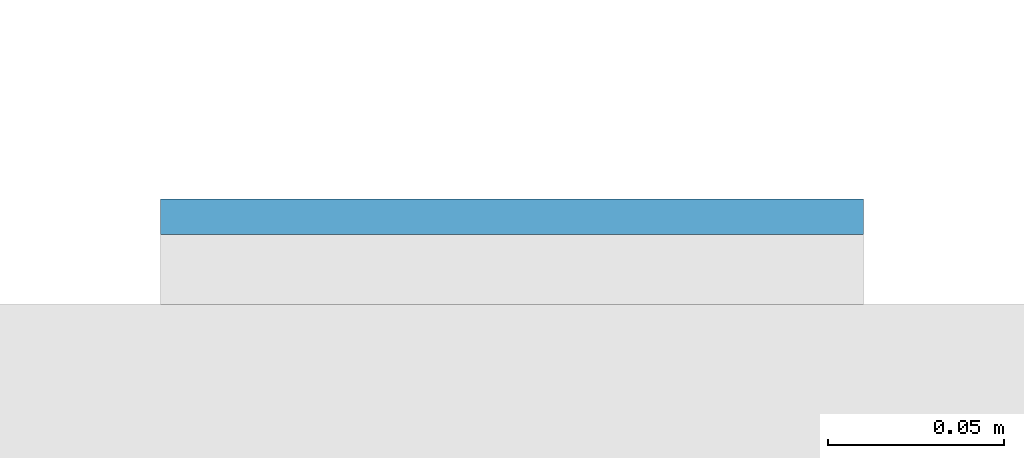
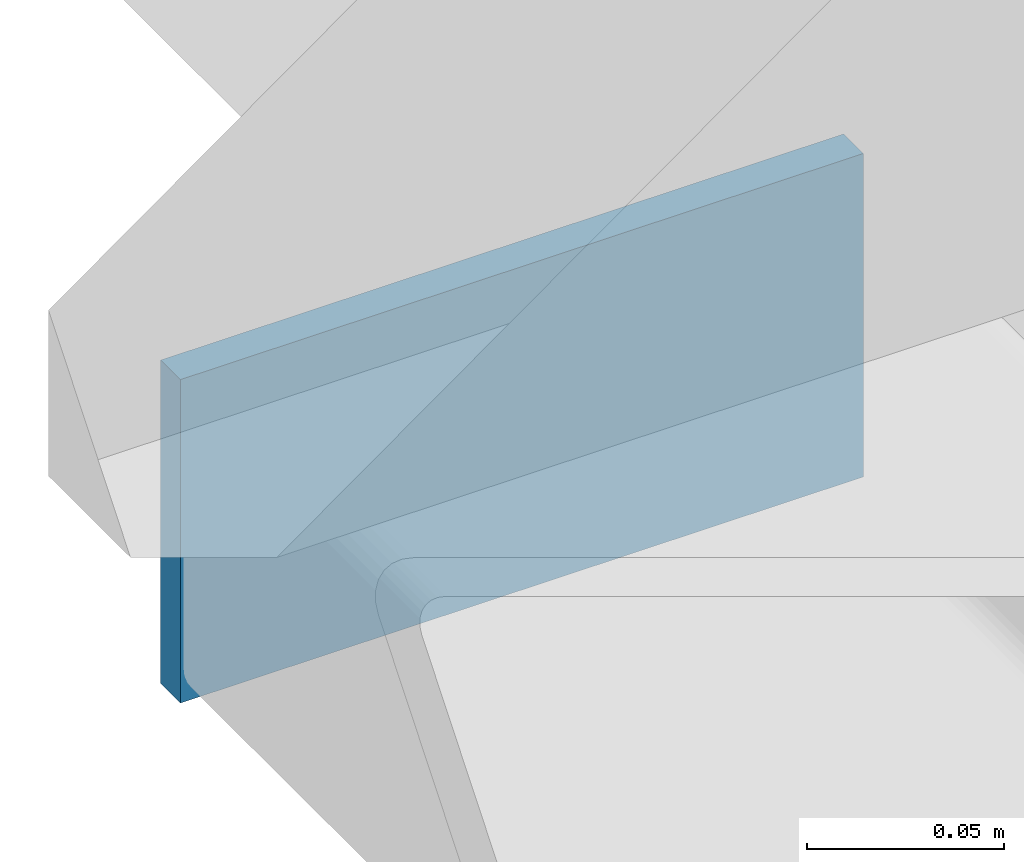
# One storey, part 9 of 20: 1 plate.
"""IFC4 building model written with IfcOpenShell, lengths in metres."""

from ifc_helpers import new_model, si_unit, direction, frame, origin, origin_2d, place, context, subcontext, project, spatial, rectangle, extrude, material, layer, layer_set, type_object, element, save


model = new_model("IFC4")

# Units and contexts
model_context = context("Model", 3, precision=1e-05, world=origin(), true_north=direction((0.0, 1.0)))
body_context = subcontext(model_context, "Body", "Model", "MODEL_VIEW")
ifc_project = project(units=[si_unit("LENGTHUNIT", "METRE"), si_unit("AREAUNIT", "SQUARE_METRE"), si_unit("VOLUMEUNIT", "CUBIC_METRE"), si_unit("PLANEANGLEUNIT", "RADIAN"), si_unit("MASSUNIT", "GRAM", prefix="KILO")], contexts=[model_context])

# Site, building, storey
site_placement = place(None, origin())
site = spatial("IfcSite", under=ifc_project, at=site_placement, CompositionType="ELEMENT")
building_placement = place(site_placement, origin())
building = spatial("IfcBuilding", under=site, at=building_placement, Name="Cleftline Residences", CompositionType="ELEMENT")
storey_placement = place(building_placement, frame((0.0, 0.0, 121.39990234375)))
storey = spatial("IfcBuildingStorey", under=building, at=storey_placement, Name="L31", CompositionType="ELEMENT", Elevation=121.39990234375)

# Plate
ifc_material = material(Name="Steel S355, hot-dip galvanised", Category="steel")
ifc_layer = layer(ifc_material, 0.010009765625)
ifc_layer_set = layer_set([ifc_layer], Name="BAGUETTE CARRIER END PLATE 200X100X10")
plate_type = type_object("IfcPlateType", Name="BAGUETTE CARRIER END PLATE 200X100X10", PredefinedType="USERDEFINED", material=ifc_layer_set)
plate_placement = place(storey_placement, frame((-0.85009765625, 44.304931640625, -0.099853515625), z_axis=(0.0, 0.0, 1.0), x_axis=(-1.0, 0.0, 0.0)))
element("IfcPlate", 1, at=plate_placement, inside=storey, type_object=plate_type, Name="Baguette carrier end plate", ObjectType="BAGUETTE CARRIER END PLATE", PredefinedType="USERDEFINED", context=body_context, shape_type="SweptSolid", body=[
    extrude(rectangle(XDim=0.199951171875, YDim=0.010009765625, at=origin_2d()), origin(), (0.0, 0.0, 1.0), 0.10009765625),
])

save(model, "model.ifc")
